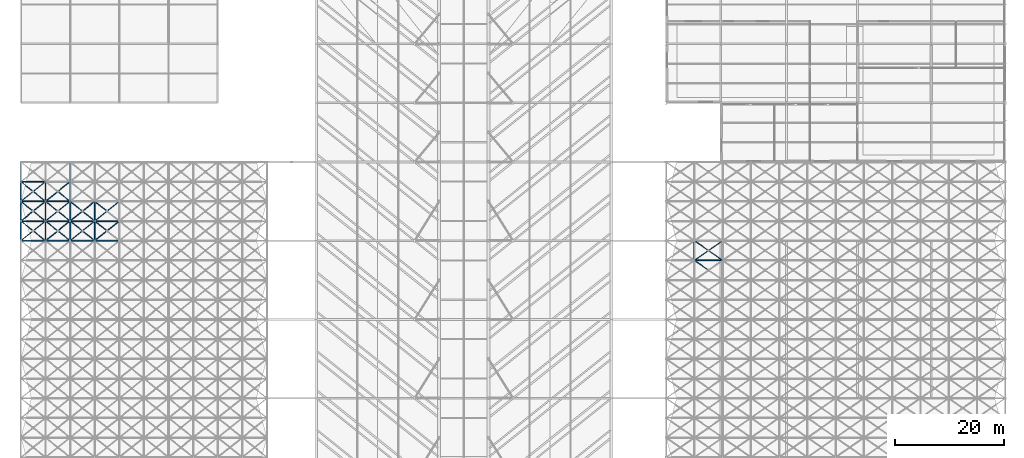
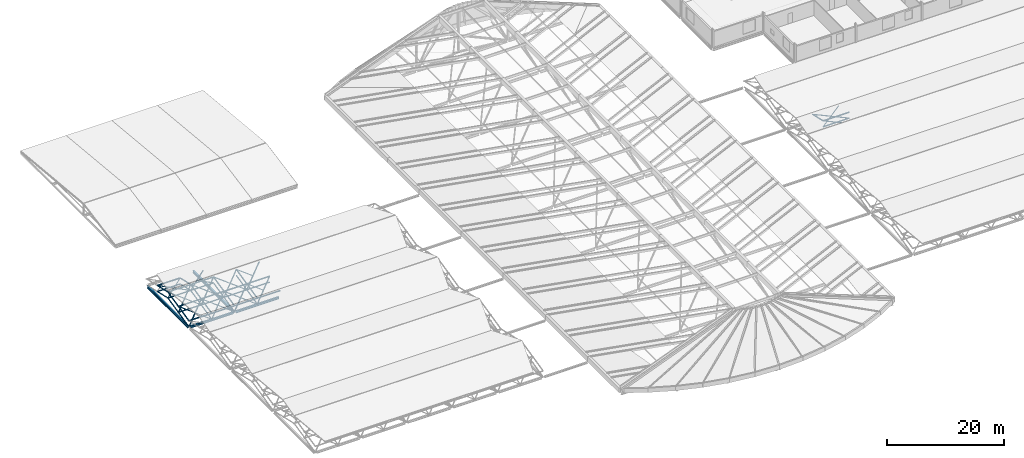
# One storey, part 26 of 110: 72 members, 4 beams.
"""IFC4 building model written with IfcOpenShell, lengths in metres."""

from ifc_helpers import new_model, si_unit, direction, frame, origin, origin_2d, place, context, subcontext, project, spatial, hollow_circle, i_section, extrude, material, material_profile, profile_set, type_object, element, save


model = new_model("IFC4")

# Units and contexts
model_context = context("Model", 3, precision=1e-05, world=origin(), true_north=direction((0.0, 1.0)))
body_context = subcontext(model_context, "Body", "Model", "MODEL_VIEW")
ifc_project = project(units=[si_unit("LENGTHUNIT", "METRE"), si_unit("AREAUNIT", "SQUARE_METRE"), si_unit("VOLUMEUNIT", "CUBIC_METRE"), si_unit("PLANEANGLEUNIT", "RADIAN"), si_unit("MASSUNIT", "GRAM", prefix="KILO")], contexts=[model_context])

# Site, building, storey
site_placement = place(None, origin())
site = spatial("IfcSite", under=ifc_project, at=site_placement, CompositionType="ELEMENT")
building_placement = place(site_placement, origin())
building = spatial("IfcBuilding", under=site, at=building_placement, Name="Tamarisk Ironworks Central Station", CompositionType="ELEMENT")
storey_placement = place(building_placement, frame((0.0, 0.0, 17.39990234375)))
storey = spatial("IfcBuildingStorey", under=building, at=storey_placement, Name="L03", CompositionType="ELEMENT", Elevation=17.39990234375)

# Beams
ifc_material_1 = material(Name="Structural steel S355J2", Category="steel")
ifc_material_profile_1 = material_profile(ifc_material_1, i_section(OverallWidth=0.300048828125, OverallDepth=0.5400390625, WebThickness=0.012451171875, FlangeThickness=0.02392578125, at=origin_2d()), Name="HEA 550")
ifc_profile_set_1 = profile_set([ifc_material_profile_1], Name="Structural steel S355J2")
beam_type_1 = type_object("IfcBeamType", Name="BM-G04", PredefinedType="BEAM", material=ifc_profile_set_1)
beam_1_placement = place(storey_placement, frame((0.0, 65.0380859375, -1.869873046875), z_axis=(0.0, 1.0, 0.0), x_axis=(-1.0, 0.0, 0.0)))
element("IfcBeam", 1, at=beam_1_placement, inside=storey, type_object=beam_type_1, Name="L03 primary girder Y-0585", PredefinedType="BEAM", context=body_context, shape_type="SweptSolid", body=[
    extrude(i_section(OverallWidth=0.300048828125, OverallDepth=0.5400390625, WebThickness=0.012451171875, FlangeThickness=0.02392578125, at=origin_2d()), origin(), (0.0, 0.0, 1.0), 13.923828125),
])
beam_2_placement = place(storey_placement, frame((9.0, 64.9912109375, -1.869873046875), z_axis=(0.0, 1.0, 0.0), x_axis=(-1.0, 0.0, 0.0)))
element("IfcBeam", 2, at=beam_2_placement, inside=storey, type_object=beam_type_1, Name="L03 primary girder Y-0589", PredefinedType="BEAM", context=body_context, shape_type="SweptSolid", body=[
    extrude(i_section(OverallWidth=0.300048828125, OverallDepth=0.5400390625, WebThickness=0.012451171875, FlangeThickness=0.02392578125, at=origin_2d()), origin(), (0.0, 0.0, 1.0), 13.966796875),
])
ifc_material_profile_2 = material_profile(ifc_material_1, i_section(OverallWidth=0.300048828125, OverallDepth=0.43994140625, WebThickness=0.011474609375, FlangeThickness=0.02099609375, at=origin_2d()), Name="HEA 450")
ifc_profile_set_2 = profile_set([ifc_material_profile_2], Name="Structural steel S355J2")
beam_type_2 = type_object("IfcBeamType", Name="BM-G06", PredefinedType="BEAM", material=ifc_profile_set_2)
beam_3_placement = place(storey_placement, frame((0.238037109375, 64.800048828125, -1.81982421875), z_axis=(1.0, 0.0, 0.0), x_axis=(0.0, 1.0, 0.0)))
element("IfcBeam", 3, at=beam_3_placement, inside=storey, type_object=beam_type_2, Name="L03 primary girder X-0567", PredefinedType="BEAM", context=body_context, shape_type="SweptSolid", body=[
    extrude(i_section(OverallWidth=0.300048828125, OverallDepth=0.43994140625, WebThickness=0.011474609375, FlangeThickness=0.02099609375, at=origin_2d()), origin(), (0.0, 0.0, 1.0), 8.57080078125),
])
beam_4_placement = place(storey_placement, frame((9.191162109375, 64.800048828125, -1.81982421875), z_axis=(1.0, 0.0, 0.0), x_axis=(0.0, 1.0, 0.0)))
element("IfcBeam", 4, at=beam_4_placement, inside=storey, type_object=beam_type_2, Name="L03 primary girder X-0568", PredefinedType="BEAM", context=body_context, shape_type="SweptSolid", body=[
    extrude(i_section(OverallWidth=0.300048828125, OverallDepth=0.43994140625, WebThickness=0.011474609375, FlangeThickness=0.02099609375, at=origin_2d()), origin(), (0.0, 0.0, 1.0), 8.56689453125),
])

# Members
ifc_material_2 = material(Name="Structural steel S355J2H", Category="steel")
ifc_material_profile_3 = material_profile(ifc_material_2, hollow_circle(Radius=0.136474609375, WallThickness=0.012451171875, at=origin_2d()), Name="CHS 273x12.5")
ifc_profile_set_3 = profile_set([ifc_material_profile_3], Name="Structural steel S355J2H")
member_type_1 = type_object("IfcMemberType", Name="MB-SFC01", PredefinedType="CHORD", material=ifc_profile_set_3)
for number, where, z_axis, x_axis, name in (
    (5, (0.0, 64.800048828125, -0.469970703125), (1.0, 0.0, 0.0), (0.0, 1.0, 0.0), "Train shed space-frame top chord 0591"),
    (6, (4.5, 64.800048828125, -0.469970703125), (1.0, 0.0, 0.0), (0.0, 1.0, 0.0), "Train shed space-frame top chord 0592"),
    (7, (9.0, 64.800048828125, -0.469970703125), (1.0, 0.0, 0.0), (0.0, 1.0, 0.0), "Train shed space-frame top chord 0593"),
    (8, (13.5, 64.800048828125, -0.469970703125), (1.0, 0.0, 0.0), (0.0, 1.0, 0.0), "Train shed space-frame top chord 0594"),
    (9, (0.0, 68.39990234375, 0.35498046875), (1.0, 0.0, 0.0), (0.0, 1.0, 0.0), "Train shed space-frame top chord 0799"),
    (10, (4.5, 68.39990234375, 0.35498046875), (1.0, 0.0, 0.0), (0.0, 1.0, 0.0), "Train shed space-frame top chord 0800"),
    (11, (9.0, 68.39990234375, 0.35498046875), (1.0, 0.0, 0.0), (0.0, 1.0, 0.0), "Train shed space-frame top chord 0801"),
    (12, (13.5, 68.39990234375, 0.35498046875), (1.0, 0.0, 0.0), (0.0, 1.0, 0.0), "Train shed space-frame top chord 0802"),
    (13, (0.0, 72.0, 1.18017578125), (1.0, 0.0, 0.0), (0.0, 1.0, 0.0), "Train shed space-frame top chord 0809"),
    (14, (4.5, 72.0, 1.18017578125), (1.0, 0.0, 0.0), (0.0, 1.0, 0.0), "Train shed space-frame top chord 0810"),
    (15, (0.0, 75.60009765625, 0.35498046875), (1.0, 0.0, 0.0), (0.0, 1.0, 0.0), "Train shed space-frame top chord 0819"),
):
    element("IfcMember", number, at=place(storey_placement, frame(where, z_axis=z_axis, x_axis=x_axis)), inside=storey, type_object=member_type_1, Name=name, PredefinedType="CHORD", context=body_context, shape_type="SweptSolid", body=[
        extrude(hollow_circle(Radius=0.136474609375, WallThickness=0.012451171875, at=origin_2d()), origin(), (0.0, 0.0, 1.0), 4.5),
    ])
member_1_placement = place(storey_placement, frame((123.166748046875, 61.199951171875, 0.35498046875), z_axis=(1.0, 0.0, 0.0), x_axis=(0.0, 1.0, 0.0)))
element("IfcMember", 16, at=member_1_placement, inside=storey, type_object=member_type_1, Name="Train shed space-frame top chord 1656", PredefinedType="CHORD", context=body_context, shape_type="SweptSolid", body=[
    extrude(hollow_circle(Radius=0.136474609375, WallThickness=0.012451171875, at=origin_2d()), origin(), (0.0, 0.0, 1.0), 5.16650390625),
])
ifc_material_profile_4 = material_profile(ifc_material_2, hollow_circle(Radius=0.122314453125, WallThickness=0.012451171875, at=origin_2d()), Name="CHS 244.5x12.5")
ifc_profile_set_4 = profile_set([ifc_material_profile_4], Name="Structural steel S355J2H")
member_type_2 = type_object("IfcMemberType", Name="MB-SFC02", PredefinedType="CHORD", material=ifc_profile_set_4)
for number, where, z_axis, x_axis, name in (
    (17, (0.0, 68.39990234375, -0.89501953125), (1.0, 0.0, 0.0), (0.0, 1.0, 0.0), "Train shed space-frame bottom chord 0725"),
    (18, (4.5, 68.39990234375, -0.89501953125), (1.0, 0.0, 0.0), (0.0, 1.0, 0.0), "Train shed space-frame bottom chord 0726"),
    (19, (9.0, 68.39990234375, -0.89501953125), (1.0, 0.0, 0.0), (0.0, 1.0, 0.0), "Train shed space-frame bottom chord 0727"),
    (20, (13.5, 68.39990234375, -0.89501953125), (1.0, 0.0, 0.0), (0.0, 1.0, 0.0), "Train shed space-frame bottom chord 0728"),
    (21, (0.0, 72.0, -0.06982421875), (1.0, 0.0, 0.0), (0.0, 1.0, 0.0), "Train shed space-frame bottom chord 0735"),
    (22, (4.5, 72.0, -0.06982421875), (1.0, 0.0, 0.0), (0.0, 1.0, 0.0), "Train shed space-frame bottom chord 0736"),
    (23, (0.0, 75.60009765625, -0.89501953125), (1.0, 0.0, 0.0), (0.0, 1.0, 0.0), "Train shed space-frame bottom chord 0745"),
):
    element("IfcMember", number, at=place(storey_placement, frame(where, z_axis=z_axis, x_axis=x_axis)), inside=storey, type_object=member_type_2, Name=name, PredefinedType="CHORD", context=body_context, shape_type="SweptSolid", body=[
        extrude(hollow_circle(Radius=0.122314453125, WallThickness=0.012451171875, at=origin_2d()), origin(), (0.0, 0.0, 1.0), 4.5),
    ])
member_2_placement = place(storey_placement, frame((0.0, 64.800048828125, -0.469970703125), z_axis=(0.0, 0.974733218107, 0.223372230857), x_axis=(-1.0, 0.0, 0.0)))
element("IfcMember", 24, at=member_2_placement, inside=storey, type_object=member_type_2, Name="Train shed space-frame top transverse chord 0839", PredefinedType="CHORD", context=body_context, shape_type="SweptSolid", body=[
    extrude(hollow_circle(Radius=0.122314453125, WallThickness=0.012451171875, at=origin_2d()), origin(), (0.0, 0.0, 1.0), 3.693115234375),
])
for number, where, z_axis, x_axis, name in (
    (25, (0.0, 68.39990234375, 0.35498046875), (0.0, 0.974722123001, 0.223420641241), (-1.0, 0.0, 0.0), "Train shed space-frame top transverse chord 0840"),
    (26, (0.0, 72.0, 1.18017578125), (0.0, 0.974722123001, -0.223420641241), (-1.0, 0.0, 0.0), "Train shed space-frame top transverse chord 0841"),
):
    element("IfcMember", number, at=place(storey_placement, frame(where, z_axis=z_axis, x_axis=x_axis)), inside=storey, type_object=member_type_2, Name=name, PredefinedType="CHORD", context=body_context, shape_type="SweptSolid", body=[
        extrude(hollow_circle(Radius=0.122314453125, WallThickness=0.012451171875, at=origin_2d()), origin(), (0.0, 0.0, 1.0), 3.693359375),
    ])
member_3_placement = place(storey_placement, frame((4.5, 64.800048828125, -0.469970703125), z_axis=(0.0, 0.974733218107, 0.223372230857), x_axis=(-1.0, 0.0, 0.0)))
element("IfcMember", 27, at=member_3_placement, inside=storey, type_object=member_type_2, Name="Train shed space-frame top transverse chord 0843", PredefinedType="CHORD", context=body_context, shape_type="SweptSolid", body=[
    extrude(hollow_circle(Radius=0.122314453125, WallThickness=0.012451171875, at=origin_2d()), origin(), (0.0, 0.0, 1.0), 3.693115234375),
])
for number, where, z_axis, x_axis, name in (
    (28, (4.5, 68.39990234375, 0.35498046875), (0.0, 0.974722123001, 0.223420641241), (-1.0, 0.0, 0.0), "Train shed space-frame top transverse chord 0844"),
    (29, (4.5, 72.0, 1.18017578125), (0.0, 0.974722123001, -0.223420641241), (-1.0, 0.0, 0.0), "Train shed space-frame top transverse chord 0845"),
):
    element("IfcMember", number, at=place(storey_placement, frame(where, z_axis=z_axis, x_axis=x_axis)), inside=storey, type_object=member_type_2, Name=name, PredefinedType="CHORD", context=body_context, shape_type="SweptSolid", body=[
        extrude(hollow_circle(Radius=0.122314453125, WallThickness=0.012451171875, at=origin_2d()), origin(), (0.0, 0.0, 1.0), 3.693359375),
    ])
member_4_placement = place(storey_placement, frame((9.0, 64.800048828125, -0.469970703125), z_axis=(0.0, 0.974733218107, 0.223372230857), x_axis=(-1.0, 0.0, 0.0)))
element("IfcMember", 30, at=member_4_placement, inside=storey, type_object=member_type_2, Name="Train shed space-frame top transverse chord 0847", PredefinedType="CHORD", context=body_context, shape_type="SweptSolid", body=[
    extrude(hollow_circle(Radius=0.122314453125, WallThickness=0.012451171875, at=origin_2d()), origin(), (0.0, 0.0, 1.0), 3.693115234375),
])
member_5_placement = place(storey_placement, frame((9.0, 68.39990234375, 0.35498046875), z_axis=(0.0, 0.974722123001, 0.223420641241), x_axis=(-1.0, 0.0, 0.0)))
element("IfcMember", 31, at=member_5_placement, inside=storey, type_object=member_type_2, Name="Train shed space-frame top transverse chord 0848", PredefinedType="CHORD", context=body_context, shape_type="SweptSolid", body=[
    extrude(hollow_circle(Radius=0.122314453125, WallThickness=0.012451171875, at=origin_2d()), origin(), (0.0, 0.0, 1.0), 3.693359375),
])
member_6_placement = place(storey_placement, frame((13.5, 64.800048828125, -0.469970703125), z_axis=(0.0, 0.974733218107, 0.223372230857), x_axis=(-1.0, 0.0, 0.0)))
element("IfcMember", 32, at=member_6_placement, inside=storey, type_object=member_type_2, Name="Train shed space-frame top transverse chord 0851", PredefinedType="CHORD", context=body_context, shape_type="SweptSolid", body=[
    extrude(hollow_circle(Radius=0.122314453125, WallThickness=0.012451171875, at=origin_2d()), origin(), (0.0, 0.0, 1.0), 3.693115234375),
])
member_7_placement = place(storey_placement, frame((13.5, 68.39990234375, 0.35498046875), z_axis=(0.0, 0.974722123001, 0.223420641241), x_axis=(-1.0, 0.0, 0.0)))
element("IfcMember", 33, at=member_7_placement, inside=storey, type_object=member_type_2, Name="Train shed space-frame top transverse chord 0852", PredefinedType="CHORD", context=body_context, shape_type="SweptSolid", body=[
    extrude(hollow_circle(Radius=0.122314453125, WallThickness=0.012451171875, at=origin_2d()), origin(), (0.0, 0.0, 1.0), 3.693359375),
])
member_8_placement = place(storey_placement, frame((123.166748046875, 61.199951171875, -0.89501953125), z_axis=(1.0, 0.0, 0.0), x_axis=(0.0, 1.0, 0.0)))
element("IfcMember", 34, at=member_8_placement, inside=storey, type_object=member_type_2, Name="Train shed space-frame bottom chord 1568", PredefinedType="CHORD", context=body_context, shape_type="SweptSolid", body=[
    extrude(hollow_circle(Radius=0.122314453125, WallThickness=0.012451171875, at=origin_2d()), origin(), (0.0, 0.0, 1.0), 5.16650390625),
])
member_9_placement = place(storey_placement, frame((123.166748046875, 61.199951171875, 0.35498046875), z_axis=(0.0, 0.974736516158, -0.223357838607), x_axis=(-1.0, 0.0, 0.0)))
element("IfcMember", 35, at=member_9_placement, inside=storey, type_object=member_type_2, Name="Train shed space-frame top transverse chord 1686", PredefinedType="CHORD", context=body_context, shape_type="SweptSolid", body=[
    extrude(hollow_circle(Radius=0.122314453125, WallThickness=0.012451171875, at=origin_2d()), origin(), (0.0, 0.0, 1.0), 3.693359375),
])
ifc_material_profile_5 = material_profile(ifc_material_2, hollow_circle(Radius=0.109619140625, WallThickness=0.010009765625, at=origin_2d()), Name="CHS 219.1x10")
ifc_profile_set_5 = profile_set([ifc_material_profile_5], Name="Structural steel S355J2H")
member_type_3 = type_object("IfcMemberType", Name="MB-SFC03", PredefinedType="CHORD", material=ifc_profile_set_5)
member_10_placement = place(storey_placement, frame((0.0, 64.800048828125, -1.719970703125), z_axis=(0.0, 0.974733218107, 0.223372230857), x_axis=(-1.0, 0.0, 0.0)))
element("IfcMember", 36, at=member_10_placement, inside=storey, type_object=member_type_3, Name="Train shed space-frame transverse chord 0755", PredefinedType="CHORD", context=body_context, shape_type="SweptSolid", body=[
    extrude(hollow_circle(Radius=0.109619140625, WallThickness=0.010009765625, at=origin_2d()), origin(), (0.0, 0.0, 1.0), 3.693115234375),
])
for number, where, z_axis, x_axis, name in (
    (37, (0.0, 68.39990234375, -0.89501953125), (0.0, 0.974722123001, 0.223420641241), (-1.0, 0.0, 0.0), "Train shed space-frame transverse chord 0756"),
    (38, (0.0, 72.0, -0.06982421875), (0.0, 0.974722123001, -0.223420641241), (-1.0, 0.0, 0.0), "Train shed space-frame transverse chord 0757"),
):
    element("IfcMember", number, at=place(storey_placement, frame(where, z_axis=z_axis, x_axis=x_axis)), inside=storey, type_object=member_type_3, Name=name, PredefinedType="CHORD", context=body_context, shape_type="SweptSolid", body=[
        extrude(hollow_circle(Radius=0.109619140625, WallThickness=0.010009765625, at=origin_2d()), origin(), (0.0, 0.0, 1.0), 3.693359375),
    ])
member_11_placement = place(storey_placement, frame((4.5, 64.800048828125, -1.719970703125), z_axis=(0.0, 0.974733218107, 0.223372230857), x_axis=(-1.0, 0.0, 0.0)))
element("IfcMember", 39, at=member_11_placement, inside=storey, type_object=member_type_3, Name="Train shed space-frame transverse chord 0759", PredefinedType="CHORD", context=body_context, shape_type="SweptSolid", body=[
    extrude(hollow_circle(Radius=0.109619140625, WallThickness=0.010009765625, at=origin_2d()), origin(), (0.0, 0.0, 1.0), 3.693115234375),
])
for number, where, z_axis, x_axis, name in (
    (40, (4.5, 68.39990234375, -0.89501953125), (0.0, 0.974722123001, 0.223420641241), (-1.0, 0.0, 0.0), "Train shed space-frame transverse chord 0760"),
    (41, (4.5, 72.0, -0.06982421875), (0.0, 0.974722123001, -0.223420641241), (-1.0, 0.0, 0.0), "Train shed space-frame transverse chord 0761"),
):
    element("IfcMember", number, at=place(storey_placement, frame(where, z_axis=z_axis, x_axis=x_axis)), inside=storey, type_object=member_type_3, Name=name, PredefinedType="CHORD", context=body_context, shape_type="SweptSolid", body=[
        extrude(hollow_circle(Radius=0.109619140625, WallThickness=0.010009765625, at=origin_2d()), origin(), (0.0, 0.0, 1.0), 3.693359375),
    ])
member_12_placement = place(storey_placement, frame((9.0, 64.800048828125, -1.719970703125), z_axis=(0.0, 0.974733218107, 0.223372230857), x_axis=(-1.0, 0.0, 0.0)))
element("IfcMember", 42, at=member_12_placement, inside=storey, type_object=member_type_3, Name="Train shed space-frame transverse chord 0763", PredefinedType="CHORD", context=body_context, shape_type="SweptSolid", body=[
    extrude(hollow_circle(Radius=0.109619140625, WallThickness=0.010009765625, at=origin_2d()), origin(), (0.0, 0.0, 1.0), 3.693115234375),
])
member_13_placement = place(storey_placement, frame((9.0, 68.39990234375, -0.89501953125), z_axis=(0.0, 0.974722123001, 0.223420641241), x_axis=(-1.0, 0.0, 0.0)))
element("IfcMember", 43, at=member_13_placement, inside=storey, type_object=member_type_3, Name="Train shed space-frame transverse chord 0764", PredefinedType="CHORD", context=body_context, shape_type="SweptSolid", body=[
    extrude(hollow_circle(Radius=0.109619140625, WallThickness=0.010009765625, at=origin_2d()), origin(), (0.0, 0.0, 1.0), 3.693359375),
])
member_14_placement = place(storey_placement, frame((13.5, 64.800048828125, -1.719970703125), z_axis=(0.0, 0.974733218107, 0.223372230857), x_axis=(-1.0, 0.0, 0.0)))
element("IfcMember", 44, at=member_14_placement, inside=storey, type_object=member_type_3, Name="Train shed space-frame transverse chord 0767", PredefinedType="CHORD", context=body_context, shape_type="SweptSolid", body=[
    extrude(hollow_circle(Radius=0.109619140625, WallThickness=0.010009765625, at=origin_2d()), origin(), (0.0, 0.0, 1.0), 3.693115234375),
])
member_15_placement = place(storey_placement, frame((13.5, 68.39990234375, -0.89501953125), z_axis=(0.0, 0.974722123001, 0.223420641241), x_axis=(-1.0, 0.0, 0.0)))
element("IfcMember", 45, at=member_15_placement, inside=storey, type_object=member_type_3, Name="Train shed space-frame transverse chord 0768", PredefinedType="CHORD", context=body_context, shape_type="SweptSolid", body=[
    extrude(hollow_circle(Radius=0.109619140625, WallThickness=0.010009765625, at=origin_2d()), origin(), (0.0, 0.0, 1.0), 3.693359375),
])
ifc_material_profile_6 = material_profile(ifc_material_2, hollow_circle(Radius=0.084228515625, WallThickness=0.010009765625, at=origin_2d()), Name="CHS 168.3x10")
ifc_profile_set_6 = profile_set([ifc_material_profile_6], Name="Structural steel S355J2H")
member_type_4 = type_object("IfcMemberType", Name="MB-SFD01", PredefinedType="BRACE", material=ifc_profile_set_6)
member_16_placement = place(storey_placement, frame((0.0, 64.800048828125, -1.719970703125), z_axis=(0.734706189143, 0.587741035097, 0.338773215143), x_axis=(-0.624679547852, 0.780881208953, 0.0)))
element("IfcMember", 46, at=member_16_placement, inside=storey, type_object=member_type_4, Name="Train shed space-frame diagonal 0883", PredefinedType="BRACE", context=body_context, shape_type="SweptSolid", body=[
    extrude(hollow_circle(Radius=0.084228515625, WallThickness=0.010009765625, at=origin_2d()), origin(), (0.0, 0.0, 1.0), 6.125),
])
member_17_placement = place(storey_placement, frame((0.0, 72.0, -0.06982421875), z_axis=(0.778747645228, 0.623015016088, 0.073514588905), x_axis=(-0.624705380279, 0.780860543151, 0.0)))
element("IfcMember", 47, at=member_17_placement, inside=storey, type_object=member_type_4, Name="Train shed space-frame diagonal 0887", PredefinedType="BRACE", context=body_context, shape_type="SweptSolid", body=[
    extrude(hollow_circle(Radius=0.084228515625, WallThickness=0.010009765625, at=origin_2d()), origin(), (0.0, 0.0, 1.0), 5.778564453125),
])
member_18_placement = place(storey_placement, frame((4.5, 68.39990234375, -0.89501953125), z_axis=(0.734679055902, 0.587759188278, 0.338800562889), x_axis=(-0.624705380279, 0.780860543151, 0.0)))
element("IfcMember", 48, at=member_18_placement, inside=storey, type_object=member_type_4, Name="Train shed space-frame diagonal 0893", PredefinedType="BRACE", context=body_context, shape_type="SweptSolid", body=[
    extrude(hollow_circle(Radius=0.084228515625, WallThickness=0.010009765625, at=origin_2d()), origin(), (0.0, 0.0, 1.0), 6.125244140625),
])
member_19_placement = place(storey_placement, frame((9.0, 64.800048828125, -1.719970703125), z_axis=(0.734706189143, 0.587741035097, 0.338773215143), x_axis=(-0.624679547852, 0.780881208953, 0.0)))
element("IfcMember", 49, at=member_19_placement, inside=storey, type_object=member_type_4, Name="Train shed space-frame diagonal 0899", PredefinedType="BRACE", context=body_context, shape_type="SweptSolid", body=[
    extrude(hollow_circle(Radius=0.084228515625, WallThickness=0.010009765625, at=origin_2d()), origin(), (0.0, 0.0, 1.0), 6.125),
])
member_20_placement = place(storey_placement, frame((13.5, 68.39990234375, -0.89501953125), z_axis=(0.734679055902, 0.587759188278, 0.338800562889), x_axis=(-0.624705380279, 0.780860543151, 0.0)))
element("IfcMember", 50, at=member_20_placement, inside=storey, type_object=member_type_4, Name="Train shed space-frame diagonal 0909", PredefinedType="BRACE", context=body_context, shape_type="SweptSolid", body=[
    extrude(hollow_circle(Radius=0.084228515625, WallThickness=0.010009765625, at=origin_2d()), origin(), (0.0, 0.0, 1.0), 6.125244140625),
])
member_21_placement = place(storey_placement, frame((123.166748046875, 61.199951171875, -0.89501953125), z_axis=(0.818594988647, 0.570409304536, 0.067345897138), x_axis=(-0.571707258436, 0.820457683645, 0.0)))
element("IfcMember", 51, at=member_21_placement, inside=storey, type_object=member_type_4, Name="Train shed space-frame diagonal 1745", PredefinedType="BRACE", context=body_context, shape_type="SweptSolid", body=[
    extrude(hollow_circle(Radius=0.084228515625, WallThickness=0.010009765625, at=origin_2d()), origin(), (0.0, 0.0, 1.0), 6.3115234375),
])
ifc_material_profile_7 = material_profile(ifc_material_2, hollow_circle(Radius=0.06982421875, WallThickness=0.008056640625, at=origin_2d()), Name="CHS 139.7x8")
ifc_profile_set_7 = profile_set([ifc_material_profile_7], Name="Structural steel S355J2H")
member_type_5 = type_object("IfcMemberType", Name="MB-SFD02", PredefinedType="BRACE", material=ifc_profile_set_7)
member_22_placement = place(storey_placement, frame((0.0, 68.39990234375, -0.89501953125), z_axis=(0.734679055902, 0.587759188278, 0.338800562889), x_axis=(-0.624705380279, 0.780860543151, 0.0)))
element("IfcMember", 52, at=member_22_placement, inside=storey, type_object=member_type_5, Name="Train shed space-frame diagonal 0885", PredefinedType="BRACE", context=body_context, shape_type="SweptSolid", body=[
    extrude(hollow_circle(Radius=0.06982421875, WallThickness=0.008056640625, at=origin_2d()), origin(), (0.0, 0.0, 1.0), 6.125244140625),
])
member_23_placement = place(storey_placement, frame((4.5, 64.800048828125, -1.719970703125), z_axis=(0.734706189143, 0.587741035097, 0.338773215143), x_axis=(-0.624679547852, 0.780881208953, 0.0)))
element("IfcMember", 53, at=member_23_placement, inside=storey, type_object=member_type_5, Name="Train shed space-frame diagonal 0891", PredefinedType="BRACE", context=body_context, shape_type="SweptSolid", body=[
    extrude(hollow_circle(Radius=0.06982421875, WallThickness=0.008056640625, at=origin_2d()), origin(), (0.0, 0.0, 1.0), 6.125),
])
member_24_placement = place(storey_placement, frame((4.5, 72.0, -0.06982421875), z_axis=(0.778747645228, 0.623015016088, 0.073514588905), x_axis=(-0.624705380279, 0.780860543151, 0.0)))
element("IfcMember", 54, at=member_24_placement, inside=storey, type_object=member_type_5, Name="Train shed space-frame diagonal 0895", PredefinedType="BRACE", context=body_context, shape_type="SweptSolid", body=[
    extrude(hollow_circle(Radius=0.06982421875, WallThickness=0.008056640625, at=origin_2d()), origin(), (0.0, 0.0, 1.0), 5.778564453125),
])
member_25_placement = place(storey_placement, frame((9.0, 68.39990234375, -0.89501953125), z_axis=(0.734679055902, 0.587759188278, 0.338800562889), x_axis=(-0.624705380279, 0.780860543151, 0.0)))
element("IfcMember", 55, at=member_25_placement, inside=storey, type_object=member_type_5, Name="Train shed space-frame diagonal 0901", PredefinedType="BRACE", context=body_context, shape_type="SweptSolid", body=[
    extrude(hollow_circle(Radius=0.06982421875, WallThickness=0.008056640625, at=origin_2d()), origin(), (0.0, 0.0, 1.0), 6.125244140625),
])
member_26_placement = place(storey_placement, frame((13.5, 64.800048828125, -1.719970703125), z_axis=(0.734706189143, 0.587741035097, 0.338773215143), x_axis=(-0.624679547852, 0.780881208953, 0.0)))
element("IfcMember", 56, at=member_26_placement, inside=storey, type_object=member_type_5, Name="Train shed space-frame diagonal 0907", PredefinedType="BRACE", context=body_context, shape_type="SweptSolid", body=[
    extrude(hollow_circle(Radius=0.06982421875, WallThickness=0.008056640625, at=origin_2d()), origin(), (0.0, 0.0, 1.0), 6.125),
])
ifc_material_profile_8 = material_profile(ifc_material_2, hollow_circle(Radius=0.05712890625, WallThickness=0.00634765625, at=origin_2d()), Name="CHS 114.3x6.3")
ifc_profile_set_8 = profile_set([ifc_material_profile_8], Name="Structural steel S355J2H")
member_type_6 = type_object("IfcMemberType", Name="MB-SFD03", PredefinedType="BRACE", material=ifc_profile_set_8)
for number, where, z_axis, x_axis, name in (
    (57, (4.5, 64.800048828125, -1.719970703125), (-0.734712152648, 0.587704782363, 0.33882317149), (-0.624652959802, -0.780902477785, 0.0), "Train shed space-frame split counter-diagonal lower 0884"),
    (58, (2.209716796875, 66.63232421875, -0.663818359375), (-0.734732358486, 0.587720945248, 0.338751312779), (-0.624652959802, -0.780902477785, 0.0), "Train shed space-frame split counter-diagonal upper 0884"),
):
    element("IfcMember", number, at=place(storey_placement, frame(where, z_axis=z_axis, x_axis=x_axis)), inside=storey, type_object=member_type_6, Name=name, PredefinedType="BRACE", context=body_context, shape_type="SweptSolid", body=[
        extrude(hollow_circle(Radius=0.05712890625, WallThickness=0.00634765625, at=origin_2d()), origin(), (0.0, 0.0, 1.0), 3.007568359375),
    ])
member_27_placement = place(storey_placement, frame((4.5, 68.39990234375, -0.89501953125), z_axis=(-0.734677102003, 0.587757915766, 0.338807007376), x_axis=(-0.624705568642, -0.780860392457, 0.0)))
element("IfcMember", 59, at=member_27_placement, inside=storey, type_object=member_type_6, Name="Train shed space-frame split counter-diagonal lower 0886", PredefinedType="BRACE", context=body_context, shape_type="SweptSolid", body=[
    extrude(hollow_circle(Radius=0.05712890625, WallThickness=0.00634765625, at=origin_2d()), origin(), (0.0, 0.0, 1.0), 3.0078125),
])
member_28_placement = place(storey_placement, frame((2.209716796875, 70.232421875, 0.1611328125), z_axis=(-0.734712152648, 0.587704782363, 0.33882317149), x_axis=(-0.624652959802, -0.780902477785, 0.0)))
element("IfcMember", 60, at=member_28_placement, inside=storey, type_object=member_type_6, Name="Train shed space-frame split counter-diagonal upper 0886", PredefinedType="BRACE", context=body_context, shape_type="SweptSolid", body=[
    extrude(hollow_circle(Radius=0.05712890625, WallThickness=0.00634765625, at=origin_2d()), origin(), (0.0, 0.0, 1.0), 3.007568359375),
])
member_29_placement = place(storey_placement, frame((4.5, 72.0, -0.06982421875), z_axis=(-0.778786711003, 0.622960457248, 0.073563084968), x_axis=(-0.624652913247, -0.780902515025, 0.0)))
element("IfcMember", 61, at=member_29_placement, inside=storey, type_object=member_type_6, Name="Train shed space-frame split counter-diagonal lower 0888", PredefinedType="BRACE", context=body_context, shape_type="SweptSolid", body=[
    extrude(hollow_circle(Radius=0.05712890625, WallThickness=0.00634765625, at=origin_2d()), origin(), (0.0, 0.0, 1.0), 2.834228515625),
])
member_30_placement = place(storey_placement, frame((2.207275390625, 73.834228515625, 0.146484375), z_axis=(-0.778744920641, 0.623013163477, 0.07355913751), x_axis=(-0.624705580279, -0.780860383147, 0.0)))
element("IfcMember", 62, at=member_30_placement, inside=storey, type_object=member_type_6, Name="Train shed space-frame split counter-diagonal upper 0888", PredefinedType="BRACE", context=body_context, shape_type="SweptSolid", body=[
    extrude(hollow_circle(Radius=0.05712890625, WallThickness=0.00634765625, at=origin_2d()), origin(), (0.0, 0.0, 1.0), 2.83447265625),
])
for number, where, z_axis, x_axis, name in (
    (63, (9.0, 64.800048828125, -1.719970703125), (-0.734712152648, 0.587704782363, 0.33882317149), (-0.624652959802, -0.780902477785, 0.0), "Train shed space-frame split counter-diagonal lower 0892"),
    (64, (6.709716796875, 66.63232421875, -0.663818359375), (-0.734732358486, 0.587720945248, 0.338751312779), (-0.624652959802, -0.780902477785, 0.0), "Train shed space-frame split counter-diagonal upper 0892"),
):
    element("IfcMember", number, at=place(storey_placement, frame(where, z_axis=z_axis, x_axis=x_axis)), inside=storey, type_object=member_type_6, Name=name, PredefinedType="BRACE", context=body_context, shape_type="SweptSolid", body=[
        extrude(hollow_circle(Radius=0.05712890625, WallThickness=0.00634765625, at=origin_2d()), origin(), (0.0, 0.0, 1.0), 3.007568359375),
    ])
member_31_placement = place(storey_placement, frame((9.0, 68.39990234375, -0.89501953125), z_axis=(-0.734677102003, 0.587757915766, 0.338807007376), x_axis=(-0.624705568642, -0.780860392457, 0.0)))
element("IfcMember", 65, at=member_31_placement, inside=storey, type_object=member_type_6, Name="Train shed space-frame split counter-diagonal lower 0894", PredefinedType="BRACE", context=body_context, shape_type="SweptSolid", body=[
    extrude(hollow_circle(Radius=0.05712890625, WallThickness=0.00634765625, at=origin_2d()), origin(), (0.0, 0.0, 1.0), 3.0078125),
])
member_32_placement = place(storey_placement, frame((6.709716796875, 70.232421875, 0.1611328125), z_axis=(-0.734712152648, 0.587704782363, 0.33882317149), x_axis=(-0.624652959802, -0.780902477785, 0.0)))
element("IfcMember", 66, at=member_32_placement, inside=storey, type_object=member_type_6, Name="Train shed space-frame split counter-diagonal upper 0894", PredefinedType="BRACE", context=body_context, shape_type="SweptSolid", body=[
    extrude(hollow_circle(Radius=0.05712890625, WallThickness=0.00634765625, at=origin_2d()), origin(), (0.0, 0.0, 1.0), 3.007568359375),
])
member_33_placement = place(storey_placement, frame((9.0, 72.0, -0.06982421875), z_axis=(-0.778786711003, 0.622960457248, 0.073563084968), x_axis=(-0.624652913247, -0.780902515025, 0.0)))
element("IfcMember", 67, at=member_33_placement, inside=storey, type_object=member_type_6, Name="Train shed space-frame split counter-diagonal lower 0896", PredefinedType="BRACE", context=body_context, shape_type="SweptSolid", body=[
    extrude(hollow_circle(Radius=0.05712890625, WallThickness=0.00634765625, at=origin_2d()), origin(), (0.0, 0.0, 1.0), 2.834228515625),
])
for number, where, z_axis, x_axis, name in (
    (68, (13.5, 64.800048828125, -1.719970703125), (-0.734712152648, 0.587704782363, 0.33882317149), (-0.624652959802, -0.780902477785, 0.0), "Train shed space-frame split counter-diagonal lower 0900"),
    (69, (11.209716796875, 66.63232421875, -0.663818359375), (-0.734732358486, 0.587720945248, 0.338751312779), (-0.624652959802, -0.780902477785, 0.0), "Train shed space-frame split counter-diagonal upper 0900"),
):
    element("IfcMember", number, at=place(storey_placement, frame(where, z_axis=z_axis, x_axis=x_axis)), inside=storey, type_object=member_type_6, Name=name, PredefinedType="BRACE", context=body_context, shape_type="SweptSolid", body=[
        extrude(hollow_circle(Radius=0.05712890625, WallThickness=0.00634765625, at=origin_2d()), origin(), (0.0, 0.0, 1.0), 3.007568359375),
    ])
member_34_placement = place(storey_placement, frame((13.5, 68.39990234375, -0.89501953125), z_axis=(-0.734677102003, 0.587757915766, 0.338807007376), x_axis=(-0.624705568642, -0.780860392457, 0.0)))
element("IfcMember", 70, at=member_34_placement, inside=storey, type_object=member_type_6, Name="Train shed space-frame split counter-diagonal lower 0902", PredefinedType="BRACE", context=body_context, shape_type="SweptSolid", body=[
    extrude(hollow_circle(Radius=0.05712890625, WallThickness=0.00634765625, at=origin_2d()), origin(), (0.0, 0.0, 1.0), 3.0078125),
])
for number, where, z_axis, x_axis, name in (
    (71, (11.209716796875, 70.232421875, 0.1611328125), (-0.734712152648, 0.587704782363, 0.33882317149), (-0.624652959802, -0.780902477785, 0.0), "Train shed space-frame split counter-diagonal upper 0902"),
    (72, (15.709716796875, 66.63232421875, -0.663818359375), (-0.734732358486, 0.587720945248, 0.338751312779), (-0.624652959802, -0.780902477785, 0.0), "Train shed space-frame split counter-diagonal upper 0908"),
    (73, (15.709716796875, 70.232421875, 0.1611328125), (-0.734712152648, 0.587704782363, 0.33882317149), (-0.624652959802, -0.780902477785, 0.0), "Train shed space-frame split counter-diagonal upper 0910"),
):
    element("IfcMember", number, at=place(storey_placement, frame(where, z_axis=z_axis, x_axis=x_axis)), inside=storey, type_object=member_type_6, Name=name, PredefinedType="BRACE", context=body_context, shape_type="SweptSolid", body=[
        extrude(hollow_circle(Radius=0.05712890625, WallThickness=0.00634765625, at=origin_2d()), origin(), (0.0, 0.0, 1.0), 3.007568359375),
    ])
for number, where, z_axis, x_axis, name in (
    (74, (125.705078125, 59.431396484375, 0.146240234375), (-0.81862545828, 0.570368646704, 0.067319877544), (-0.571665501983, -0.820486778591, 0.0), "Train shed space-frame split counter-diagonal upper 1744"),
    (75, (128.333251953125, 61.199951171875, -0.89501953125), (-0.818621116616, 0.570365621695, 0.067398256788), (-0.571665501983, -0.820486778591, 0.0), "Train shed space-frame split counter-diagonal lower 1746"),
    (76, (125.705078125, 63.031494140625, -0.6787109375), (-0.81862545828, 0.570368646704, 0.067319877544), (-0.571665501983, -0.820486778591, 0.0), "Train shed space-frame split counter-diagonal upper 1746"),
):
    element("IfcMember", number, at=place(storey_placement, frame(where, z_axis=z_axis, x_axis=x_axis)), inside=storey, type_object=member_type_6, Name=name, PredefinedType="BRACE", context=body_context, shape_type="SweptSolid", body=[
        extrude(hollow_circle(Radius=0.05712890625, WallThickness=0.00634765625, at=origin_2d()), origin(), (0.0, 0.0, 1.0), 3.100830078125),
    ])

save(model, "model.ifc")
